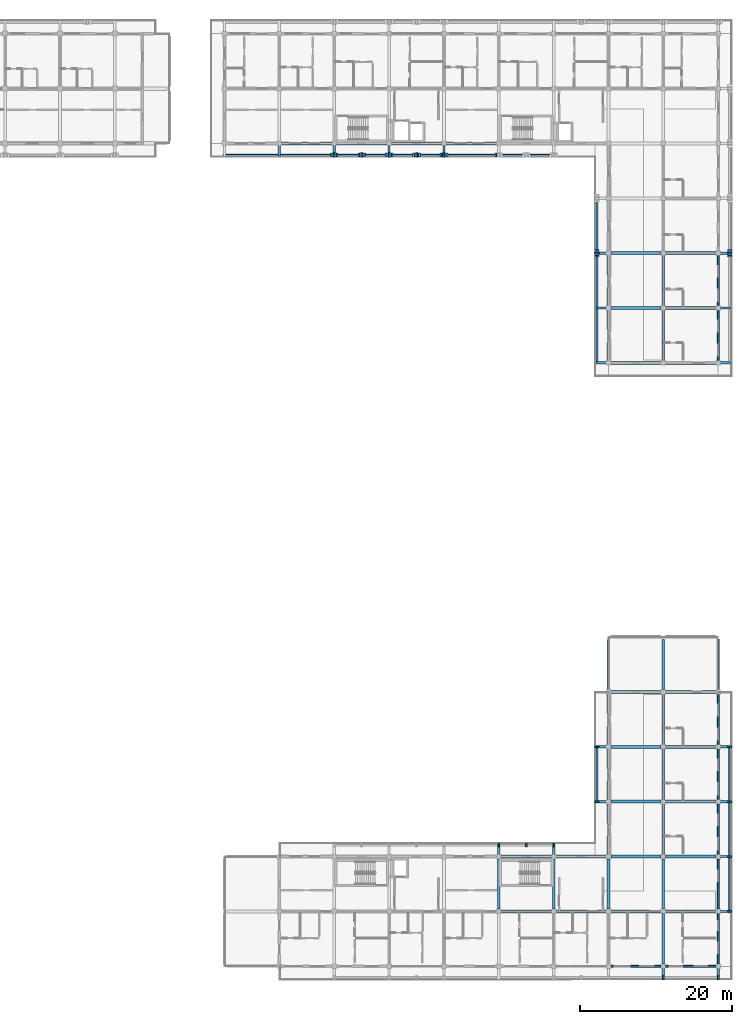
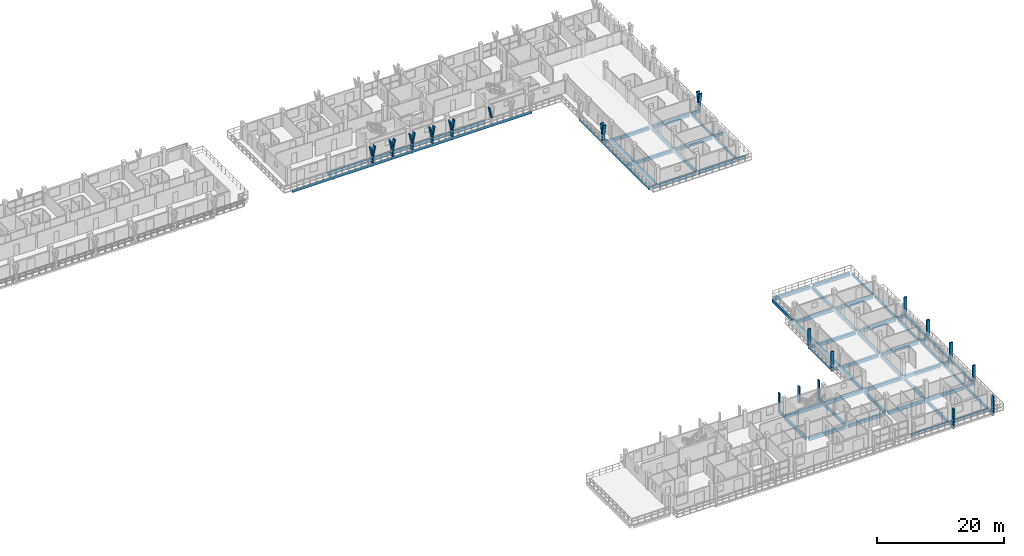
# One storey, part 27 of 75: 77 beams, 33 members.
"""IFC4 building model written with IfcOpenShell, lengths in metres."""

from ifc_helpers import new_model, si_unit, direction, frame, origin, origin_2d, place, context, subcontext, project, spatial, rectangle, extrude, material, material_profile, profile_set, type_object, element, save


model = new_model("IFC4")

# Units and contexts
model_context = context("Model", 3, precision=1e-05, world=origin(), true_north=direction((0.0, 1.0)))
body_context = subcontext(model_context, "Body", "Model", "MODEL_VIEW")
ifc_project = project(units=[si_unit("LENGTHUNIT", "METRE"), si_unit("AREAUNIT", "SQUARE_METRE"), si_unit("VOLUMEUNIT", "CUBIC_METRE"), si_unit("PLANEANGLEUNIT", "RADIAN"), si_unit("MASSUNIT", "GRAM", prefix="KILO")], contexts=[model_context])

# Site, building, storey
site_placement = place(None, origin())
site = spatial("IfcSite", under=ifc_project, at=site_placement, CompositionType="ELEMENT")
building_placement = place(site_placement, origin())
building = spatial("IfcBuilding", under=site, at=building_placement, Name="Suanplinth Sawtooth Commons", CompositionType="ELEMENT")
storey_placement = place(building_placement, frame((0.0, 0.0, 18.60009765625)))
storey = spatial("IfcBuildingStorey", under=building, at=storey_placement, Name="L05", CompositionType="ELEMENT", Elevation=18.60009765625)

# Beams
ifc_material_1 = material(Name="Precast concrete C40/50", Category="concrete")
ifc_material_profile_1 = material_profile(ifc_material_1, rectangle(XDim=0.39990234375, YDim=0.60009765625, at=origin_2d()), Name="PC-GDR 400x600")
ifc_profile_set_1 = profile_set([ifc_material_profile_1], Name="Precast concrete C40/50")
beam_type_1 = type_object("IfcBeamType", Name="B-05", PredefinedType="USERDEFINED", material=ifc_profile_set_1)
beam_1_placement = place(storey_placement, frame((129.89990234375, 108.0, -0.550048828125), z_axis=(1.0, 0.0, 0.0), x_axis=(0.0, 1.0, 0.0)))
element("IfcBeam", 1, at=beam_1_placement, inside=storey, type_object=beam_type_1, Name="BMX-L05-B-18-15", ObjectType="GIRDER", PredefinedType="USERDEFINED", context=body_context, shape_type="SweptSolid", body=[
    extrude(rectangle(XDim=0.39990234375, YDim=0.60009765625, at=origin_2d()), origin(), (0.0, 0.0, 1.0), 6.60009765625),
])
for number, where, z_axis, x_axis, name in (
    (2, (137.10009765625, 108.0, -0.550048828125), (1.0, 0.0, 0.0), (0.0, 1.0, 0.0), "BMX-L05-B-19-15"),
    (3, (144.300048828125, 108.0, -0.550048828125), (1.0, 0.0, 0.0), (0.0, 1.0, 0.0), "BMX-L05-B-20-15"),
):
    element("IfcBeam", number, at=place(storey_placement, frame(where, z_axis=z_axis, x_axis=x_axis)), inside=storey, type_object=beam_type_1, Name=name, ObjectType="GIRDER", PredefinedType="USERDEFINED", context=body_context, shape_type="SweptSolid", body=[
        extrude(rectangle(XDim=0.39990234375, YDim=0.60009765625, at=origin_2d()), origin(), (0.0, 0.0, 1.0), 6.599853515625),
    ])
beam_2_placement = place(storey_placement, frame((151.5, 108.0, -0.550048828125), z_axis=(1.0, 0.0, 0.0), x_axis=(0.0, 1.0, 0.0)))
element("IfcBeam", 4, at=beam_2_placement, inside=storey, type_object=beam_type_1, Name="BMX-L05-B-21-15", ObjectType="GIRDER", PredefinedType="USERDEFINED", context=body_context, shape_type="SweptSolid", body=[
    extrude(rectangle(XDim=0.39990234375, YDim=0.60009765625, at=origin_2d()), origin(), (0.0, 0.0, 1.0), 6.60009765625),
])
for number, where, z_axis, x_axis, name in (
    (5, (173.10009765625, 79.199951171875, -0.550048828125), (1.0, 0.0, 0.0), (0.0, 1.0, 0.0), "BMX-L05-B-24-11"),
    (6, (173.10009765625, 86.39990234375, -0.550048828125), (1.0, 0.0, 0.0), (0.0, 1.0, 0.0), "BMX-L05-B-24-12"),
    (7, (173.10009765625, 93.60009765625, -0.550048828125), (1.0, 0.0, 0.0), (0.0, 1.0, 0.0), "BMX-L05-B-24-13"),
    (8, (180.300048828125, 79.199951171875, -0.550048828125), (1.0, 0.0, 0.0), (0.0, 1.0, 0.0), "BMX-L05-B-25-11"),
    (9, (180.300048828125, 86.39990234375, -0.550048828125), (1.0, 0.0, 0.0), (0.0, 1.0, 0.0), "BMX-L05-B-25-12"),
    (10, (180.300048828125, 93.60009765625, -0.550048828125), (1.0, 0.0, 0.0), (0.0, 1.0, 0.0), "BMX-L05-B-25-13"),
):
    element("IfcBeam", number, at=place(storey_placement, frame(where, z_axis=z_axis, x_axis=x_axis)), inside=storey, type_object=beam_type_1, Name=name, ObjectType="GIRDER", PredefinedType="USERDEFINED", context=body_context, shape_type="SweptSolid", body=[
        extrude(rectangle(XDim=0.39990234375, YDim=0.60009765625, at=origin_2d()), origin(), (0.0, 0.0, 1.0), 6.599853515625),
    ])
for number, where, z_axis, x_axis, name in (
    (11, (158.699951171875, 7.199951171875, -0.550048828125), (1.0, 0.0, 0.0), (0.0, 1.0, 0.0), "BMX-L05-C-22-1"),
    (12, (158.699951171875, 14.39990234375, -0.550048828125), (1.0, 0.0, 0.0), (0.0, 1.0, 0.0), "BMX-L05-C-22-2"),
    (13, (165.89990234375, 7.199951171875, -0.550048828125), (1.0, 0.0, 0.0), (0.0, 1.0, 0.0), "BMX-L05-C-23-1"),
    (14, (165.89990234375, 14.39990234375, -0.550048828125), (1.0, 0.0, 0.0), (0.0, 1.0, 0.0), "BMX-L05-C-23-2"),
):
    element("IfcBeam", number, at=place(storey_placement, frame(where, z_axis=z_axis, x_axis=x_axis)), inside=storey, type_object=beam_type_1, Name=name, ObjectType="GIRDER", PredefinedType="USERDEFINED", context=body_context, shape_type="SweptSolid", body=[
        extrude(rectangle(XDim=0.39990234375, YDim=0.60009765625, at=origin_2d()), origin(), (0.0, 0.0, 1.0), 6.60009765625),
    ])
for number, where, z_axis, x_axis, name in (
    (15, (173.10009765625, 7.199951171875, -0.550048828125), (1.0, 0.0, 0.0), (0.0, 1.0, 0.0), "BMX-L05-C-24-1"),
    (16, (173.10009765625, 14.39990234375, -0.550048828125), (1.0, 0.0, 0.0), (0.0, 1.0, 0.0), "BMX-L05-C-24-2"),
    (17, (173.10009765625, 21.60009765625, -0.550048828125), (1.0, 0.0, 0.0), (0.0, 1.0, 0.0), "BMX-L05-C-24-3"),
    (18, (173.10009765625, 28.800048828125, -0.550048828125), (1.0, 0.0, 0.0), (0.0, 1.0, 0.0), "BMX-L05-C-24-4"),
    (19, (173.10009765625, 36.0, -0.550048828125), (1.0, 0.0, 0.0), (0.0, 1.0, 0.0), "BMX-L05-C-24-5"),
    (20, (173.10009765625, 43.199951171875, -0.550048828125), (1.0, 0.0, 0.0), (0.0, 1.0, 0.0), "BMX-L05-C-24-6"),
    (21, (180.300048828125, 7.199951171875, -0.550048828125), (1.0, 0.0, 0.0), (0.0, 1.0, 0.0), "BMX-L05-C-25-1"),
    (22, (180.300048828125, 14.39990234375, -0.550048828125), (1.0, 0.0, 0.0), (0.0, 1.0, 0.0), "BMX-L05-C-25-2"),
    (23, (180.300048828125, 21.60009765625, -0.550048828125), (1.0, 0.0, 0.0), (0.0, 1.0, 0.0), "BMX-L05-C-25-3"),
    (24, (180.300048828125, 28.800048828125, -0.550048828125), (1.0, 0.0, 0.0), (0.0, 1.0, 0.0), "BMX-L05-C-25-4"),
    (25, (180.300048828125, 36.0, -0.550048828125), (1.0, 0.0, 0.0), (0.0, 1.0, 0.0), "BMX-L05-C-25-5"),
    (26, (180.300048828125, 43.199951171875, -0.550048828125), (1.0, 0.0, 0.0), (0.0, 1.0, 0.0), "BMX-L05-C-25-6"),
):
    element("IfcBeam", number, at=place(storey_placement, frame(where, z_axis=z_axis, x_axis=x_axis)), inside=storey, type_object=beam_type_1, Name=name, ObjectType="GIRDER", PredefinedType="USERDEFINED", context=body_context, shape_type="SweptSolid", body=[
        extrude(rectangle(XDim=0.39990234375, YDim=0.60009765625, at=origin_2d()), origin(), (0.0, 0.0, 1.0), 6.599853515625),
    ])
ifc_material_profile_2 = material_profile(ifc_material_1, rectangle(XDim=0.35009765625, YDim=0.550048828125, at=origin_2d()), Name="PC-BM 350x550")
ifc_profile_set_2 = profile_set([ifc_material_profile_2], Name="Precast concrete C40/50")
beam_type_2 = type_object("IfcBeamType", Name="B-06", PredefinedType="BEAM", material=ifc_profile_set_2)
for number, where, z_axis, x_axis, name in (
    (27, (172.800048828125, 79.5, -0.525146484375), (0.0, 1.0, 0.0), (-1.0, 0.0, 0.0), "BMY-L05-B-24-11"),
    (28, (172.800048828125, 86.699951171875, -0.525146484375), (0.0, 1.0, 0.0), (-1.0, 0.0, 0.0), "BMY-L05-B-24-12"),
    (29, (180.0, 79.5, -0.525146484375), (0.0, 1.0, 0.0), (-1.0, 0.0, 0.0), "BMY-L05-B-25-11"),
    (30, (180.0, 86.699951171875, -0.525146484375), (0.0, 1.0, 0.0), (-1.0, 0.0, 0.0), "BMY-L05-B-25-12"),
    (31, (158.39990234375, 7.5, -0.525146484375), (0.0, 1.0, 0.0), (-1.0, 0.0, 0.0), "BMY-L05-C-22-1"),
    (32, (165.60009765625, 7.5, -0.525146484375), (0.0, 1.0, 0.0), (-1.0, 0.0, 0.0), "BMY-L05-C-23-1"),
    (33, (172.800048828125, 7.5, -0.525146484375), (0.0, 1.0, 0.0), (-1.0, 0.0, 0.0), "BMY-L05-C-24-1"),
    (34, (172.800048828125, 14.699951171875, -0.525146484375), (0.0, 1.0, 0.0), (-1.0, 0.0, 0.0), "BMY-L05-C-24-2"),
    (35, (172.800048828125, 21.89990234375, -0.525146484375), (0.0, 1.0, 0.0), (-1.0, 0.0, 0.0), "BMY-L05-C-24-3"),
):
    element("IfcBeam", number, at=place(storey_placement, frame(where, z_axis=z_axis, x_axis=x_axis)), inside=storey, type_object=beam_type_2, Name=name, PredefinedType="BEAM", context=body_context, shape_type="SweptSolid", body=[
        extrude(rectangle(XDim=0.35009765625, YDim=0.550048828125, at=origin_2d()), origin(), (0.0, 0.0, 1.0), 6.60009765625),
    ])
for number, where, z_axis, x_axis, name in (
    (36, (172.800048828125, 29.10009765625, -0.525146484375), (0.0, 1.0, 0.0), (-1.0, 0.0, 0.0), "BMY-L05-C-24-4"),
    (37, (172.800048828125, 36.300048828125, -0.525146484375), (0.0, 1.0, 0.0), (-1.0, 0.0, 0.0), "BMY-L05-C-24-5"),
    (38, (180.0, 0.300048828125, -0.525146484375), (0.0, 1.0, 0.0), (-1.0, 0.0, 0.0), "BMY-L05-C-25-0"),
):
    element("IfcBeam", number, at=place(storey_placement, frame(where, z_axis=z_axis, x_axis=x_axis)), inside=storey, type_object=beam_type_2, Name=name, PredefinedType="BEAM", context=body_context, shape_type="SweptSolid", body=[
        extrude(rectangle(XDim=0.35009765625, YDim=0.550048828125, at=origin_2d()), origin(), (0.0, 0.0, 1.0), 6.599853515625),
    ])
for number, where, z_axis, x_axis, name in (
    (39, (180.0, 7.5, -0.525146484375), (0.0, 1.0, 0.0), (-1.0, 0.0, 0.0), "BMY-L05-C-25-1"),
    (40, (180.0, 14.699951171875, -0.525146484375), (0.0, 1.0, 0.0), (-1.0, 0.0, 0.0), "BMY-L05-C-25-2"),
    (41, (180.0, 21.89990234375, -0.525146484375), (0.0, 1.0, 0.0), (-1.0, 0.0, 0.0), "BMY-L05-C-25-3"),
):
    element("IfcBeam", number, at=place(storey_placement, frame(where, z_axis=z_axis, x_axis=x_axis)), inside=storey, type_object=beam_type_2, Name=name, PredefinedType="BEAM", context=body_context, shape_type="SweptSolid", body=[
        extrude(rectangle(XDim=0.35009765625, YDim=0.550048828125, at=origin_2d()), origin(), (0.0, 0.0, 1.0), 6.60009765625),
    ])
for number, where, z_axis, x_axis, name in (
    (42, (180.0, 29.10009765625, -0.525146484375), (0.0, 1.0, 0.0), (-1.0, 0.0, 0.0), "BMY-L05-C-25-4"),
    (43, (180.0, 36.300048828125, -0.525146484375), (0.0, 1.0, 0.0), (-1.0, 0.0, 0.0), "BMY-L05-C-25-5"),
):
    element("IfcBeam", number, at=place(storey_placement, frame(where, z_axis=z_axis, x_axis=x_axis)), inside=storey, type_object=beam_type_2, Name=name, PredefinedType="BEAM", context=body_context, shape_type="SweptSolid", body=[
        extrude(rectangle(XDim=0.35009765625, YDim=0.550048828125, at=origin_2d()), origin(), (0.0, 0.0, 1.0), 6.599853515625),
    ])
ifc_material_profile_3 = material_profile(ifc_material_1, rectangle(XDim=0.300048828125, YDim=0.5, at=origin_2d()), Name="PC-BM 300x500")
ifc_profile_set_3 = profile_set([ifc_material_profile_3], Name="Precast concrete C40/50")
beam_type_3 = type_object("IfcBeamType", Name="B-07", PredefinedType="BEAM", material=ifc_profile_set_3)
for number, where, z_axis, x_axis, name in (
    (44, (187.199951171875, 79.199951171875, -0.43017578125), (1.0, 0.0, 0.0), (0.0, 1.0, 0.0), "Balcony Outrigger L05-B-E-11"),
    (45, (187.199951171875, 86.39990234375, -0.43017578125), (1.0, 0.0, 0.0), (0.0, 1.0, 0.0), "Balcony Outrigger L05-B-E-12"),
    (46, (187.199951171875, 93.60009765625, -0.43017578125), (1.0, 0.0, 0.0), (0.0, 1.0, 0.0), "Balcony Outrigger L05-B-E-13"),
):
    element("IfcBeam", number, at=place(storey_placement, frame(where, z_axis=z_axis, x_axis=x_axis)), inside=storey, type_object=beam_type_3, Name=name, PredefinedType="BEAM", context=body_context, shape_type="SweptSolid", body=[
        extrude(rectangle(XDim=0.300048828125, YDim=0.5, at=origin_2d()), origin(), (0.0, 0.0, 1.0), 1.64013671875),
    ])
for number, where, z_axis, x_axis, name in (
    (47, (129.60009765625, 108.0, -0.425048828125), (0.0, -1.0, 0.0), (1.0, 0.0, 0.0), "Balcony Outrigger L05-B-SC-18"),
    (48, (136.800048828125, 108.0, -0.425048828125), (0.0, -1.0, 0.0), (1.0, 0.0, 0.0), "Balcony Outrigger L05-B-SC-19"),
    (49, (144.0, 108.0, -0.425048828125), (0.0, -1.0, 0.0), (1.0, 0.0, 0.0), "Balcony Outrigger L05-B-SC-20"),
    (50, (151.199951171875, 108.0, -0.425048828125), (0.0, -1.0, 0.0), (1.0, 0.0, 0.0), "Balcony Outrigger L05-B-SC-21"),
):
    element("IfcBeam", number, at=place(storey_placement, frame(where, z_axis=z_axis, x_axis=x_axis)), inside=storey, type_object=beam_type_3, Name=name, PredefinedType="BEAM", context=body_context, shape_type="SweptSolid", body=[
        extrude(rectangle(XDim=0.300048828125, YDim=0.5, at=origin_2d()), origin(), (0.0, 0.0, 1.0), 1.639892578125),
    ])
for number, where, z_axis, x_axis, name in (
    (51, (172.800048828125, 79.199951171875, -0.425048828125), (-1.0, 0.0, 0.0), (0.0, -1.0, 0.0), "Balcony Outrigger L05-B-WC-11"),
    (52, (172.800048828125, 86.39990234375, -0.425048828125), (-1.0, 0.0, 0.0), (0.0, -1.0, 0.0), "Balcony Outrigger L05-B-WC-12"),
    (53, (172.800048828125, 93.60009765625, -0.425048828125), (-1.0, 0.0, 0.0), (0.0, -1.0, 0.0), "Balcony Outrigger L05-B-WC-13"),
):
    element("IfcBeam", number, at=place(storey_placement, frame(where, z_axis=z_axis, x_axis=x_axis)), inside=storey, type_object=beam_type_3, Name=name, PredefinedType="BEAM", context=body_context, shape_type="SweptSolid", body=[
        extrude(rectangle(XDim=0.300048828125, YDim=0.5, at=origin_2d()), origin(), (0.0, 0.0, 1.0), 1.64013671875),
    ])
for number, where, z_axis, x_axis, name in (
    (54, (180.0, 0.0, -0.43017578125), (0.0, -1.0, 0.0), (1.0, 0.0, 0.0), "Balcony Outrigger L05-C-S-25"),
    (55, (187.199951171875, 0.0, -0.43017578125), (0.0, -1.0, 0.0), (1.0, 0.0, 0.0), "Balcony Outrigger L05-C-S-26"),
):
    element("IfcBeam", number, at=place(storey_placement, frame(where, z_axis=z_axis, x_axis=x_axis)), inside=storey, type_object=beam_type_3, Name=name, PredefinedType="BEAM", context=body_context, shape_type="SweptSolid", body=[
        extrude(rectangle(XDim=0.300048828125, YDim=0.5, at=origin_2d()), origin(), (0.0, 0.0, 1.0), 1.639892578125),
    ])
for number, where, z_axis, x_axis, name in (
    (56, (187.199951171875, 7.199951171875, -0.43017578125), (1.0, 0.0, 0.0), (0.0, 1.0, 0.0), "Balcony Outrigger L05-C-E-1"),
    (57, (187.199951171875, 14.39990234375, -0.43017578125), (1.0, 0.0, 0.0), (0.0, 1.0, 0.0), "Balcony Outrigger L05-C-E-2"),
    (58, (187.199951171875, 21.60009765625, -0.43017578125), (1.0, 0.0, 0.0), (0.0, 1.0, 0.0), "Balcony Outrigger L05-C-E-3"),
    (59, (187.199951171875, 28.800048828125, -0.43017578125), (1.0, 0.0, 0.0), (0.0, 1.0, 0.0), "Balcony Outrigger L05-C-E-4"),
    (60, (158.39990234375, 14.39990234375, -0.425048828125), (0.0, 1.0, 0.0), (-1.0, 0.0, 0.0), "Balcony Outrigger L05-C-NC-22"),
    (61, (165.60009765625, 14.39990234375, -0.425048828125), (0.0, 1.0, 0.0), (-1.0, 0.0, 0.0), "Balcony Outrigger L05-C-NC-23"),
    (62, (172.800048828125, 21.60009765625, -0.425048828125), (-1.0, 0.0, 0.0), (0.0, -1.0, 0.0), "Balcony Outrigger L05-C-WC-3"),
    (63, (172.800048828125, 28.800048828125, -0.425048828125), (-1.0, 0.0, 0.0), (0.0, -1.0, 0.0), "Balcony Outrigger L05-C-WC-4"),
):
    element("IfcBeam", number, at=place(storey_placement, frame(where, z_axis=z_axis, x_axis=x_axis)), inside=storey, type_object=beam_type_3, Name=name, PredefinedType="BEAM", context=body_context, shape_type="SweptSolid", body=[
        extrude(rectangle(XDim=0.300048828125, YDim=0.5, at=origin_2d()), origin(), (0.0, 0.0, 1.0), 1.64013671875),
    ])
ifc_material_profile_4 = material_profile(ifc_material_1, rectangle(XDim=0.25, YDim=0.449951171875, at=origin_2d()), Name="PC-SP 250x450")
ifc_profile_set_4 = profile_set([ifc_material_profile_4], Name="Precast concrete C40/50")
beam_type_4 = type_object("IfcBeamType", Name="B-09", PredefinedType="SPANDREL", material=ifc_profile_set_4)
for number, where, z_axis, x_axis, name in (
    (64, (187.199951171875, 79.5, -0.47509765625), (0.0, 1.0, 0.0), (-1.0, 0.0, 0.0), "BMY-L05-B-26-11"),
    (65, (187.199951171875, 86.699951171875, -0.47509765625), (0.0, 1.0, 0.0), (-1.0, 0.0, 0.0), "BMY-L05-B-26-12"),
):
    element("IfcBeam", number, at=place(storey_placement, frame(where, z_axis=z_axis, x_axis=x_axis)), inside=storey, type_object=beam_type_4, Name=name, PredefinedType="SPANDREL", context=body_context, shape_type="SweptSolid", body=[
        extrude(rectangle(XDim=0.25, YDim=0.449951171875, at=origin_2d()), origin(), (0.0, 0.0, 1.0), 6.60009765625),
    ])
for number, where, z_axis, x_axis, name in (
    (66, (173.10009765625, 0.0, -0.47509765625), (1.0, 0.0, 0.0), (0.0, 1.0, 0.0), "BMX-L05-C-24-0"),
    (67, (180.300048828125, 0.0, -0.47509765625), (1.0, 0.0, 0.0), (0.0, 1.0, 0.0), "BMX-L05-C-25-0"),
    (68, (187.199951171875, 0.300048828125, -0.47509765625), (0.0, 1.0, 0.0), (-1.0, 0.0, 0.0), "BMY-L05-C-26-0"),
):
    element("IfcBeam", number, at=place(storey_placement, frame(where, z_axis=z_axis, x_axis=x_axis)), inside=storey, type_object=beam_type_4, Name=name, PredefinedType="SPANDREL", context=body_context, shape_type="SweptSolid", body=[
        extrude(rectangle(XDim=0.25, YDim=0.449951171875, at=origin_2d()), origin(), (0.0, 0.0, 1.0), 6.599853515625),
    ])
for number, where, z_axis, x_axis, name in (
    (69, (187.199951171875, 7.5, -0.47509765625), (0.0, 1.0, 0.0), (-1.0, 0.0, 0.0), "BMY-L05-C-26-1"),
    (70, (187.199951171875, 14.699951171875, -0.47509765625), (0.0, 1.0, 0.0), (-1.0, 0.0, 0.0), "BMY-L05-C-26-2"),
    (71, (187.199951171875, 21.89990234375, -0.47509765625), (0.0, 1.0, 0.0), (-1.0, 0.0, 0.0), "BMY-L05-C-26-3"),
):
    element("IfcBeam", number, at=place(storey_placement, frame(where, z_axis=z_axis, x_axis=x_axis)), inside=storey, type_object=beam_type_4, Name=name, PredefinedType="SPANDREL", context=body_context, shape_type="SweptSolid", body=[
        extrude(rectangle(XDim=0.25, YDim=0.449951171875, at=origin_2d()), origin(), (0.0, 0.0, 1.0), 6.60009765625),
    ])
for number, where, z_axis, x_axis, name in (
    (72, (187.199951171875, 29.10009765625, -0.47509765625), (0.0, 1.0, 0.0), (-1.0, 0.0, 0.0), "BMY-L05-C-26-4"),
    (73, (187.199951171875, 36.300048828125, -0.47509765625), (0.0, 1.0, 0.0), (-1.0, 0.0, 0.0), "BMY-L05-C-26-5"),
):
    element("IfcBeam", number, at=place(storey_placement, frame(where, z_axis=z_axis, x_axis=x_axis)), inside=storey, type_object=beam_type_4, Name=name, PredefinedType="SPANDREL", context=body_context, shape_type="SweptSolid", body=[
        extrude(rectangle(XDim=0.25, YDim=0.449951171875, at=origin_2d()), origin(), (0.0, 0.0, 1.0), 6.599853515625),
    ])
beam_3_placement = place(storey_placement, frame((122.25, 106.47998046875, -0.400146484375), z_axis=(1.0, 0.0, 0.0), x_axis=(0.0, 1.0, 0.0)))
element("IfcBeam", 74, at=beam_3_placement, inside=storey, type_object=beam_type_4, Name="Balcony Edge Fascia L05-B-SC", PredefinedType="SPANDREL", context=body_context, shape_type="SweptSolid", body=[
    extrude(rectangle(XDim=0.25, YDim=0.449951171875, at=origin_2d()), origin(), (0.0, 0.0, 1.0), 43.5),
])
for number, where, z_axis, x_axis, name in (
    (75, (171.280029296875, 79.050048828125, -0.400146484375), (0.0, 1.0, 0.0), (-1.0, 0.0, 0.0), "Balcony Edge Fascia L05-B-WC"),
    (76, (188.719970703125, 7.050048828125, -0.405029296875), (0.0, 1.0, 0.0), (-1.0, 0.0, 0.0), "Balcony Edge Fascia L05-C-E"),
):
    element("IfcBeam", number, at=place(storey_placement, frame(where, z_axis=z_axis, x_axis=x_axis)), inside=storey, type_object=beam_type_4, Name=name, PredefinedType="SPANDREL", context=body_context, shape_type="SweptSolid", body=[
        extrude(rectangle(XDim=0.25, YDim=0.449951171875, at=origin_2d()), origin(), (0.0, 0.0, 1.0), 21.89990234375),
    ])
beam_4_placement = place(storey_placement, frame((171.280029296875, 21.449951171875, -0.400146484375), z_axis=(0.0, 1.0, 0.0), x_axis=(-1.0, 0.0, 0.0)))
element("IfcBeam", 77, at=beam_4_placement, inside=storey, type_object=beam_type_4, Name="Balcony Edge Fascia L05-C-WC", PredefinedType="SPANDREL", context=body_context, shape_type="SweptSolid", body=[
    extrude(rectangle(XDim=0.25, YDim=0.449951171875, at=origin_2d()), origin(), (0.0, 0.0, 1.0), 7.5),
])

# Members
ifc_material_2 = material(Name="Pigmented precast concrete C40/50", Category="concrete")
ifc_material_profile_5 = material_profile(ifc_material_2, rectangle(XDim=0.260009765625, YDim=0.550048828125, at=origin_2d()), Name="PC-FIN 260x550")
ifc_profile_set_5 = profile_set([ifc_material_profile_5], Name="Pigmented precast concrete C40/50")
member_type_1 = type_object("IfcMemberType", Name="M-09", PredefinedType="USERDEFINED", material=ifc_profile_set_5)
for number, where, z_axis, x_axis, name in (
    (78, (188.719970703125, 93.60009765625, 0.0), (0.0, 0.0, 1.0), (0.0, 1.0, 0.0), "Y-Blade Stem L05-B-E-09"),
    (79, (136.800048828125, 106.47998046875, 0.0), (0.0, 0.0, 1.0), (1.0, 0.0, 0.0), "Y-Blade Stem L05-B-SC-13"),
    (80, (140.39990234375, 106.47998046875, 0.0), (0.0, 0.0, 1.0), (1.0, 0.0, 0.0), "Y-Blade Stem L05-B-SC-14"),
    (81, (144.0, 106.47998046875, 0.0), (0.0, 0.0, 1.0), (1.0, 0.0, 0.0), "Y-Blade Stem L05-B-SC-15"),
    (82, (147.60009765625, 106.47998046875, 0.0), (0.0, 0.0, 1.0), (1.0, 0.0, 0.0), "Y-Blade Stem L05-B-SC-16"),
    (83, (151.199951171875, 106.47998046875, 0.0), (0.0, 0.0, 1.0), (1.0, 0.0, 0.0), "Y-Blade Stem L05-B-SC-17"),
    (84, (171.280029296875, 93.60009765625, 0.0), (0.0, 0.0, 1.0), (0.0, 1.0, 0.0), "Y-Blade Stem L05-B-WC-21"),
):
    element("IfcMember", number, at=place(storey_placement, frame(where, z_axis=z_axis, x_axis=x_axis)), inside=storey, type_object=member_type_1, Name=name, ObjectType="SHADING FIN", PredefinedType="USERDEFINED", context=body_context, shape_type="SweptSolid", body=[
        extrude(rectangle(XDim=0.260009765625, YDim=0.550048828125, at=origin_2d()), origin(), (0.0, 0.0, 1.0), 1.169921875),
    ])
ifc_material_profile_6 = material_profile(ifc_material_2, rectangle(XDim=0.219970703125, YDim=0.550048828125, at=origin_2d()), Name="PC-FIN 220x550")
ifc_profile_set_6 = profile_set([ifc_material_profile_6], Name="Pigmented precast concrete C40/50")
member_type_2 = type_object("IfcMemberType", Name="M-10", PredefinedType="USERDEFINED", material=ifc_profile_set_6)
for number, where, z_axis, x_axis, name in (
    (85, (188.719970703125, 93.60009765625, 1.1298828125), (0.0, -0.196530428008, 0.98049772609), (0.0, 0.98049772609, 0.196530428008), "Y-Blade Arm L L05-B-E-09"),
    (86, (188.719970703125, 93.60009765625, 1.1298828125), (0.0, 0.196415357203, 0.980520783795), (0.0, -0.980520783795, 0.196415357203), "Y-Blade Arm R L05-B-E-09"),
    (87, (136.800048828125, 106.47998046875, 1.1298828125), (-0.196530428008, 0.0, 0.98049772609), (0.98049772609, 0.0, 0.196530428008), "Y-Blade Arm L L05-B-SC-13"),
    (88, (136.800048828125, 106.47998046875, 1.1298828125), (0.196415357203, 0.0, 0.980520783795), (-0.980520783795, 0.0, 0.196415357203), "Y-Blade Arm R L05-B-SC-13"),
    (89, (140.39990234375, 106.47998046875, 1.1298828125), (-0.196415357203, 0.0, 0.980520783795), (0.980520783795, 0.0, 0.196415357203), "Y-Blade Arm L L05-B-SC-14"),
    (90, (140.39990234375, 106.47998046875, 1.1298828125), (0.196530428008, 0.0, 0.98049772609), (-0.98049772609, 0.0, 0.196530428008), "Y-Blade Arm R L05-B-SC-14"),
    (91, (144.0, 106.47998046875, 1.1298828125), (-0.196530428008, 0.0, 0.98049772609), (0.98049772609, 0.0, 0.196530428008), "Y-Blade Arm L L05-B-SC-15"),
    (92, (144.0, 106.47998046875, 1.1298828125), (0.196530428008, 0.0, 0.98049772609), (-0.98049772609, 0.0, 0.196530428008), "Y-Blade Arm R L05-B-SC-15"),
    (93, (147.60009765625, 106.47998046875, 1.1298828125), (-0.196530428008, 0.0, 0.98049772609), (0.98049772609, 0.0, 0.196530428008), "Y-Blade Arm L L05-B-SC-16"),
    (94, (147.60009765625, 106.47998046875, 1.1298828125), (0.196415357203, 0.0, 0.980520783795), (-0.980520783795, 0.0, 0.196415357203), "Y-Blade Arm R L05-B-SC-16"),
    (95, (151.199951171875, 106.47998046875, 1.1298828125), (-0.196415357203, 0.0, 0.980520783795), (0.980520783795, 0.0, 0.196415357203), "Y-Blade Arm L L05-B-SC-17"),
    (96, (151.199951171875, 106.47998046875, 1.1298828125), (0.196530428008, 0.0, 0.98049772609), (-0.98049772609, 0.0, 0.196530428008), "Y-Blade Arm R L05-B-SC-17"),
    (97, (158.39990234375, 106.47998046875, 1.1298828125), (-0.196415357203, 0.0, 0.980520783795), (0.980520783795, 0.0, 0.196415357203), "Y-Blade Arm L L05-B-SC-18"),
    (98, (171.280029296875, 93.60009765625, 1.1298828125), (0.0, -0.196530428008, 0.98049772609), (0.0, 0.98049772609, 0.196530428008), "Y-Blade Arm L L05-B-WC-21"),
    (99, (171.280029296875, 93.60009765625, 1.1298828125), (0.0, 0.196415357203, 0.980520783795), (0.0, -0.980520783795, 0.196415357203), "Y-Blade Arm R L05-B-WC-21"),
):
    element("IfcMember", number, at=place(storey_placement, frame(where, z_axis=z_axis, x_axis=x_axis)), inside=storey, type_object=member_type_2, Name=name, ObjectType="SHADING FIN", PredefinedType="USERDEFINED", context=body_context, shape_type="SweptSolid", body=[
        extrude(rectangle(XDim=0.219970703125, YDim=0.550048828125, at=origin_2d()), origin(), (0.0, 0.0, 1.0), 2.039794921875),
    ])
ifc_material_profile_7 = material_profile(ifc_material_2, rectangle(XDim=0.25, YDim=0.5400390625, at=origin_2d()), Name="PC-FIN 250x540")
ifc_profile_set_7 = profile_set([ifc_material_profile_7], Name="Pigmented precast concrete C40/50")
member_type_3 = type_object("IfcMemberType", Name="M-11", PredefinedType="USERDEFINED", material=ifc_profile_set_7)
for number, where, z_axis, x_axis, name in (
    (100, (180.0, -1.52001953125, 0.0), (0.0, 0.0, 1.0), (1.0, 0.0, 0.0), "Upright Solar Blade L05-C-S-08"),
    (101, (187.199951171875, -1.52001953125, 0.0), (0.0, 0.0, 1.0), (1.0, 0.0, 0.0), "Upright Solar Blade L05-C-S-09"),
    (102, (188.719970703125, 7.199951171875, 0.0), (0.0, 0.0, 1.0), (0.0, 1.0, 0.0), "Upright Solar Blade L05-C-E-10"),
    (103, (188.719970703125, 14.39990234375, 0.0), (0.0, 0.0, 1.0), (0.0, 1.0, 0.0), "Upright Solar Blade L05-C-E-11"),
    (104, (188.719970703125, 21.60009765625, 0.0), (0.0, 0.0, 1.0), (0.0, 1.0, 0.0), "Upright Solar Blade L05-C-E-12"),
    (105, (188.719970703125, 28.800048828125, 0.0), (0.0, 0.0, 1.0), (0.0, 1.0, 0.0), "Upright Solar Blade L05-C-E-13"),
):
    element("IfcMember", number, at=place(storey_placement, frame(where, z_axis=z_axis, x_axis=x_axis)), inside=storey, type_object=member_type_3, Name=name, ObjectType="SHADING FIN", PredefinedType="USERDEFINED", context=body_context, shape_type="SweptSolid", body=[
        extrude(rectangle(XDim=0.25, YDim=0.5400390625, at=origin_2d()), origin(), (0.0, 0.0, 1.0), 3.1298828125),
    ])
ifc_material_profile_8 = material_profile(ifc_material_2, rectangle(XDim=0.2099609375, YDim=0.52001953125, at=origin_2d()), Name="PC-FIN 210x520")
ifc_profile_set_8 = profile_set([ifc_material_profile_8], Name="Pigmented precast concrete C40/50")
member_type_4 = type_object("IfcMemberType", Name="M-12", PredefinedType="USERDEFINED", material=ifc_profile_set_8)
for number, where, z_axis, x_axis, name in (
    (106, (158.39990234375, 15.919921875, 0.0), (0.0, 0.0, 1.0), (1.0, 0.0, 0.0), "Upright Solar Blade L05-C-NC-19"),
    (107, (162.0, 15.919921875, 0.0), (0.0, 0.0, 1.0), (1.0, 0.0, 0.0), "Upright Solar Blade L05-C-NC-20"),
    (108, (165.60009765625, 15.919921875, 0.0), (0.0, 0.0, 1.0), (1.0, 0.0, 0.0), "Upright Solar Blade L05-C-NC-21"),
    (109, (171.280029296875, 21.60009765625, 0.0), (0.0, 0.0, 1.0), (0.0, 1.0, 0.0), "Upright Solar Blade L05-C-WC-22"),
    (110, (171.280029296875, 28.800048828125, 0.0), (0.0, 0.0, 1.0), (0.0, 1.0, 0.0), "Upright Solar Blade L05-C-WC-23"),
):
    element("IfcMember", number, at=place(storey_placement, frame(where, z_axis=z_axis, x_axis=x_axis)), inside=storey, type_object=member_type_4, Name=name, ObjectType="SHADING FIN", PredefinedType="USERDEFINED", context=body_context, shape_type="SweptSolid", body=[
        extrude(rectangle(XDim=0.2099609375, YDim=0.52001953125, at=origin_2d()), origin(), (0.0, 0.0, 1.0), 3.1298828125),
    ])

save(model, "model.ifc")
